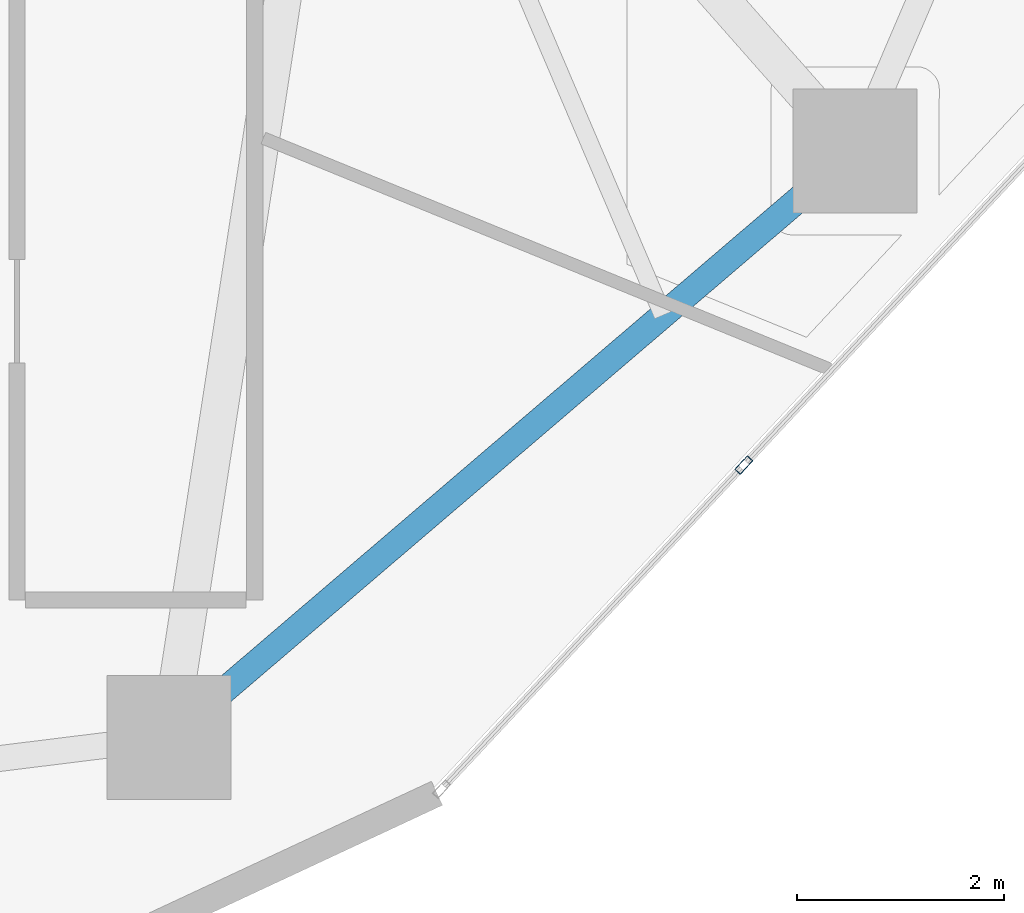
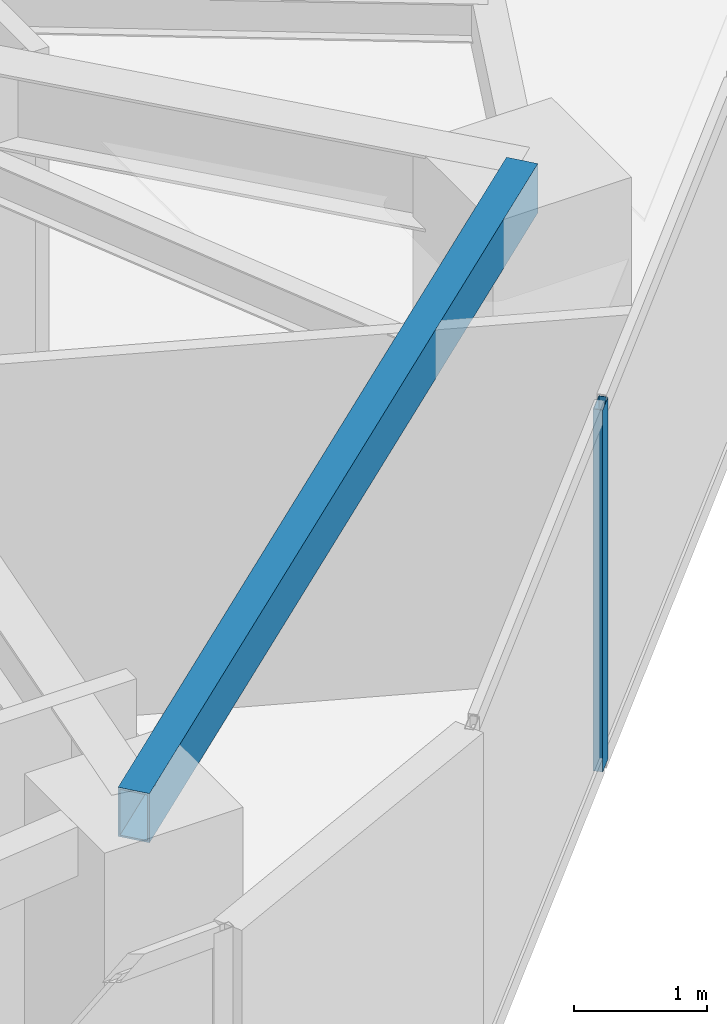
# One storey, part 7 of 23: 1 beam, 1 member, 1 element without a shape of its own.
"""IFC4 building model written with IfcOpenShell, lengths in metres."""

from ifc_helpers import new_model, si_unit, direction, frame, origin, origin_2d, place, context, subcontext, project, spatial, hollow_rectangle, extrude, source, transform, mapped, material, layer, layer_set, material_profile, profile_set, type_object, type_shapes, element, aggregate, save


model = new_model("IFC4")

# Units and contexts
model_context = context("Model", 3, precision=1e-05, world=origin(), true_north=direction((0.0, 1.0)))
body_context = subcontext(model_context, "Body", "Model", "MODEL_VIEW")
ifc_project = project(units=[si_unit("LENGTHUNIT", "METRE"), si_unit("AREAUNIT", "SQUARE_METRE"), si_unit("VOLUMEUNIT", "CUBIC_METRE"), si_unit("PLANEANGLEUNIT", "RADIAN"), si_unit("MASSUNIT", "GRAM", prefix="KILO")], contexts=[model_context])

# Site, building, storey
site_placement = place(None, origin())
site = spatial("IfcSite", under=ifc_project, at=site_placement, CompositionType="ELEMENT")
building_placement = place(site_placement, origin())
building = spatial("IfcBuilding", under=site, at=building_placement, Name="Talar Marvaseh", CompositionType="ELEMENT")
storey_placement = place(building_placement, frame((0.0, 0.0, 100.199951171875)))
storey = spatial("IfcBuildingStorey", under=building, at=storey_placement, Name="L25", CompositionType="ELEMENT", Elevation=100.199951171875)

# Beam
ifc_material_1 = material(Name="Steel S355", Category="steel")
ifc_material_profile_1 = material_profile(ifc_material_1, hollow_rectangle(XDim=0.25, YDim=0.449951171875, WallThickness=0.01611328125, at=origin_2d()), Name="RHS450x250x16")
ifc_profile_set_1 = profile_set([ifc_material_profile_1], Name="Steel S355")
beam_type = type_object("IfcBeamType", Name="Zone 2 Perimeter Spandrel Beam RHS450x250x16", PredefinedType="SPANDREL", material=ifc_profile_set_1)
beam_placement = place(storey_placement, frame((38.2060546875, 19.94091796875, 3.0849609375), z_axis=(-0.76011265597, -0.649791312833, 0.0), x_axis=(0.649791312833, -0.76011265597, 0.0)))
element("IfcBeam", 1, at=beam_placement, inside=storey, type_object=beam_type, Name="L25 Zone 2 Perimeter Spandrel Beam RHS450x250x16", PredefinedType="SPANDREL", context=body_context, shape_type="SweptSolid", body=[
    extrude(hollow_rectangle(XDim=0.25, YDim=0.449951171875, WallThickness=0.01611328125, at=origin_2d()), origin(), (0.0, 0.0, 1.0), 8.730224609375),
])

# Curtain wall, member
ifc_material_2 = material(Name="Architectural Aluminium", Category="aluminium")
ifc_layer = layer(ifc_material_2, 0.199951171875)
ifc_layer_set = layer_set([ifc_layer], Name="Architectural Aluminium")
curtain_wall_type = type_object("IfcCurtainWallType", Name="Unitised Acoustic Library Curtain Wall Z2", PredefinedType="NOTDEFINED", material=ifc_layer_set)
curtain_wall_placement = place(storey_placement, origin())
curtain_wall = element("IfcCurtainWall", 2, at=curtain_wall_placement, inside=storey, type_object=curtain_wall_type, Name="L25 Unitised Acoustic Library Curtain Wall Z2", PredefinedType="NOTDEFINED")
ifc_material_profile_2 = material_profile(ifc_material_2, hollow_rectangle(XDim=0.074951171875, YDim=0.179931640625, WallThickness=0.0048828125, at=origin_2d()), Name="RHS180x75x5")
ifc_profile_set_2 = profile_set([ifc_material_profile_2], Name="Architectural Aluminium")
member_type = type_object("IfcMemberType", Name="Unitised Curtain Wall Standard Mullion RHS180x75x5", PredefinedType="MULLION", material=ifc_profile_set_2)
shared_shape = source(origin(), body_context, "Body", "SweptSolid", [
    extrude(hollow_rectangle(XDim=0.074951171875, YDim=0.179931640625, WallThickness=0.0048828125, at=origin_2d()), origin(), (0.0, 0.0, 1.0), 3.31005859375),
])
type_shapes(member_type, [shared_shape])
member_placement = place(storey_placement, frame((37.130126953125, 16.90380859375, 0.0), z_axis=(0.0, 0.0, 1.0), x_axis=(0.731249985711, -0.682109564805, 0.0)))
member = element("IfcMember", 3, at=member_placement, type_object=member_type, Name="CW-Z2 mullion 5", PredefinedType="MULLION", context=body_context, shape_type="MappedRepresentation", body=[
    mapped(shared_shape, transform((0.0, 0.0, 0.0), x_axis=(1.0, 0.0, 0.0), y_axis=(0.0, 1.0, 0.0), z_axis=(0.0, 0.0, 1.0), scale=1.0)),
])
aggregate(curtain_wall, [member])

save(model, "model.ifc")
